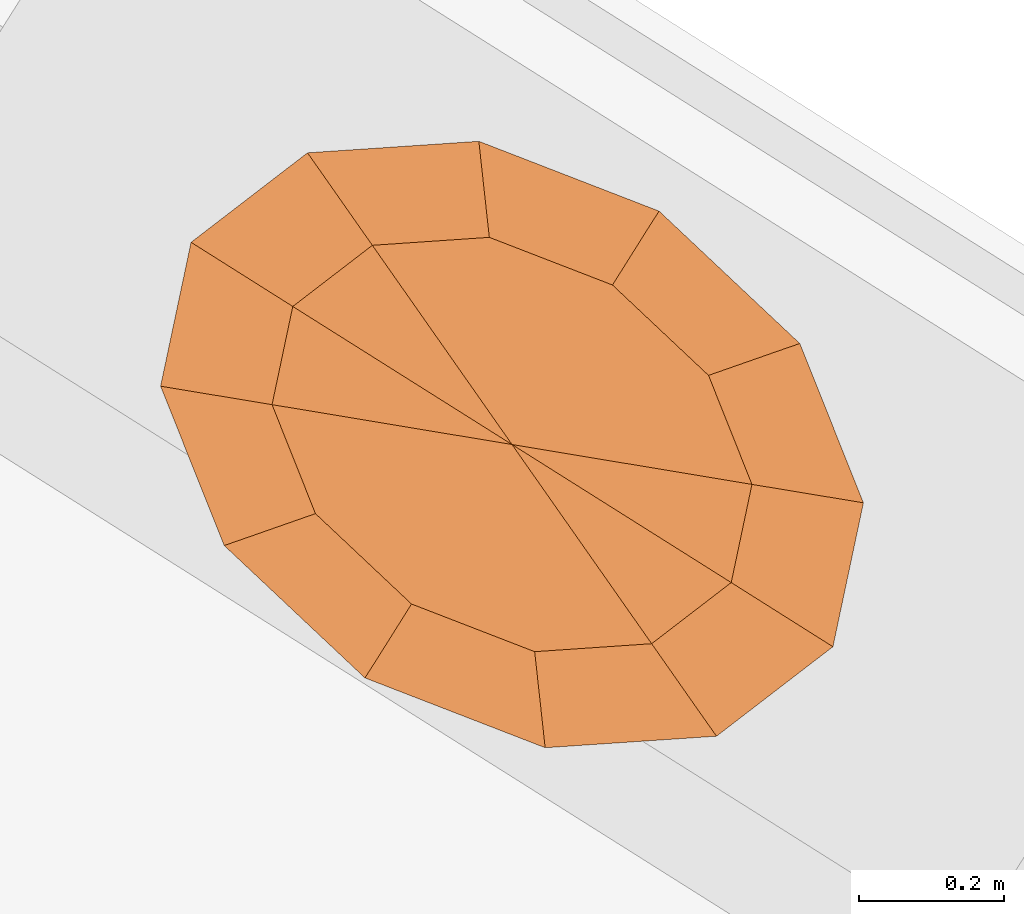
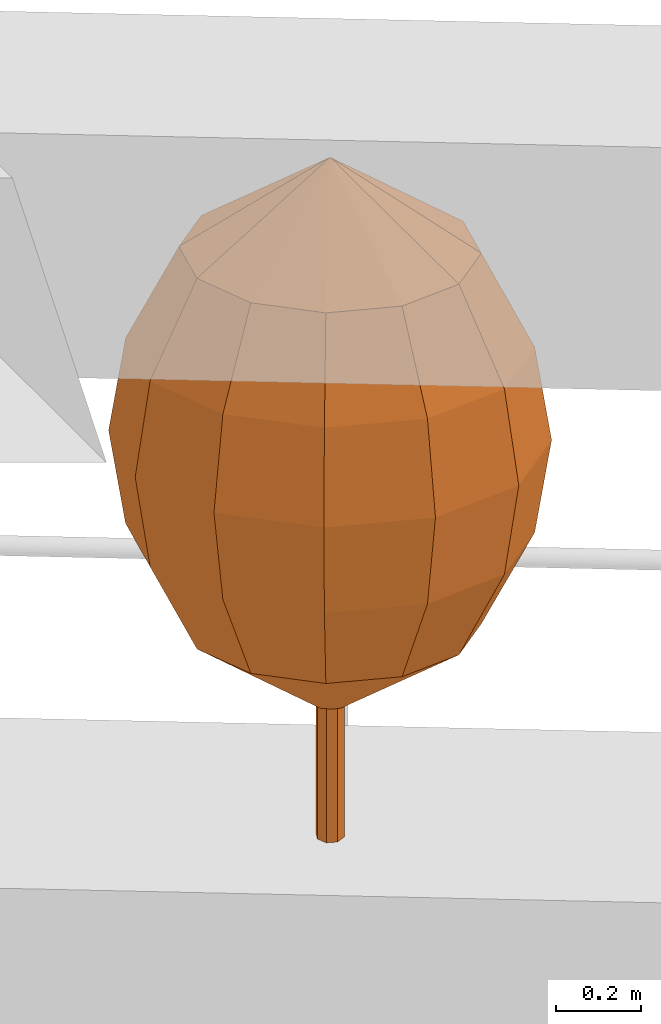
# One storey, part 12 of 12: 1 geographic element.
"""IFC4 building model written with IfcOpenShell, lengths in metres."""

from ifc_helpers import new_model, si_unit, direction, frame, origin, place, context, subcontext, project, spatial, faceted_brep, material, constituent, constituent_set, type_object, element, save


model = new_model("IFC4")

# Units and contexts
model_context = context("Model", 3, precision=1e-05, world=origin(), true_north=direction((0.0, 1.0)))
body_context = subcontext(model_context, "Body", "Model", "MODEL_VIEW")
ifc_project = project(units=[si_unit("LENGTHUNIT", "METRE"), si_unit("AREAUNIT", "SQUARE_METRE"), si_unit("VOLUMEUNIT", "CUBIC_METRE"), si_unit("PLANEANGLEUNIT", "RADIAN"), si_unit("MASSUNIT", "GRAM", prefix="KILO")], contexts=[model_context])

# Site, building, storey
site_placement = place(None, origin())
site = spatial("IfcSite", under=ifc_project, at=site_placement, CompositionType="ELEMENT")
building_placement = place(site_placement, origin())
building = spatial("IfcBuilding", under=site, at=building_placement, Name="Taillehof Tower", CompositionType="ELEMENT")
storey_placement = place(building_placement, frame((0.0, 0.0, 189.199951171875)))
storey = spatial("IfcBuildingStorey", under=building, at=storey_placement, Name="L53", CompositionType="ELEMENT", Elevation=189.199951171875)

# Geographic element
ifc_material_1 = material(Name="Tree bark", Category="timber")
ifc_constituent_1 = constituent(ifc_material_1, Name="Trunk", Category="timber")
ifc_material_2 = material(Name="Tree foliage")
ifc_constituent_2 = constituent(ifc_material_2, Name="Crown")
ifc_constituent_set = constituent_set(constituents=[ifc_constituent_1, ifc_constituent_2], Name="Tree TR2 Fastigiate yew")
geographic_element_type = type_object("IfcGeographicElementType", Name="Tree TR2 Fastigiate yew", PredefinedType="USERDEFINED", material=ifc_constituent_set)
geographic_element_placement = place(storey_placement, frame((15.544921875, 19.98828125, 0.75)))
element("IfcGeographicElement", 1, at=geographic_element_placement, inside=storey, type_object=geographic_element_type, Name="Tree TR2 Fastigiate yew", ObjectType="TREE", PredefinedType="USERDEFINED", context=body_context, shape_type="Brep", body=[
    faceted_brep([(0.034912109375, 0.0, 0.0), (0.024658203125, 0.024658203125, 0.0), (0.024658203125, 0.024658203125, 0.909912109375), (0.034912109375, 0.0, 0.909912109375), (0.0, 0.034912109375, 0.0), (0.0, 0.034912109375, 0.909912109375), (-0.024658203125, 0.024658203125, 0.0), (-0.024658203125, 0.024658203125, 0.909912109375), (-0.034912109375, 0.0, 0.0), (-0.034912109375, 0.0, 0.909912109375), (-0.024658203125, -0.024658203125, 0.0), (-0.024658203125, -0.024658203125, 0.909912109375), (0.0, -0.034912109375, 0.0), (0.0, -0.034912109375, 0.909912109375), (0.024658203125, -0.024658203125, 0.0), (0.024658203125, -0.024658203125, 0.909912109375)], [[[0, 1, 2, 3]], [[1, 4, 5, 2]], [[4, 6, 7, 5]], [[6, 8, 9, 7]], [[8, 10, 11, 9]], [[10, 12, 13, 11]], [[12, 14, 15, 13]], [[14, 0, 3, 15]], [[14, 12, 10, 8, 6, 4, 1, 0]], [[3, 2, 5, 7, 9, 11, 13, 15]]]),
    faceted_brep([(0.0, 0.0, 0.35009765625), (-0.33056640625, 0.054931640625, 0.61669921875), (-0.302001953125, 0.190185546875, 0.61669921875), (-0.270751953125, -0.09521484375, 0.61669921875), (-0.138427734375, -0.2197265625, 0.61669921875), (0.03125, -0.285400390625, 0.61669921875), (0.1923828125, -0.2744140625, 0.61669921875), (0.302001953125, -0.190185546875, 0.61669921875), (0.33056640625, -0.054931640625, 0.61669921875), (0.270751953125, 0.09521484375, 0.61669921875), (0.138427734375, 0.2197265625, 0.61669921875), (-0.03125, 0.285400390625, 0.61669921875), (-0.1923828125, 0.2744140625, 0.61669921875), (-0.447265625, 0.07421875, 0.88330078125), (-0.408447265625, 0.25732421875, 0.88330078125), (-0.3662109375, -0.128662109375, 0.88330078125), (-0.18701171875, -0.297119140625, 0.88330078125), (0.042236328125, -0.385986328125, 0.88330078125), (0.26025390625, -0.371337890625, 0.88330078125), (0.408447265625, -0.25732421875, 0.88330078125), (0.447265625, -0.07421875, 0.88330078125), (0.3662109375, 0.128662109375, 0.88330078125), (0.18701171875, 0.297119140625, 0.88330078125), (-0.042236328125, 0.385986328125, 0.88330078125), (-0.26025390625, 0.371337890625, 0.88330078125), (-0.484130859375, 0.080322265625, 1.14990234375), (-0.442138671875, 0.278564453125, 1.14990234375), (-0.396484375, -0.13916015625, 1.14990234375), (-0.20263671875, -0.321533203125, 1.14990234375), (0.045654296875, -0.417724609375, 1.14990234375), (0.28173828125, -0.40185546875, 1.14990234375), (0.442138671875, -0.278564453125, 1.14990234375), (0.484130859375, -0.080322265625, 1.14990234375), (0.396484375, 0.13916015625, 1.14990234375), (0.20263671875, 0.321533203125, 1.14990234375), (-0.045654296875, 0.417724609375, 1.14990234375), (-0.28173828125, 0.40185546875, 1.14990234375), (-0.447265625, 0.07421875, 1.416748046875), (-0.408447265625, 0.25732421875, 1.416748046875), (-0.3662109375, -0.128662109375, 1.416748046875), (-0.18701171875, -0.297119140625, 1.416748046875), (0.042236328125, -0.385986328125, 1.416748046875), (0.26025390625, -0.371337890625, 1.416748046875), (0.408447265625, -0.25732421875, 1.416748046875), (0.447265625, -0.07421875, 1.416748046875), (0.3662109375, 0.128662109375, 1.416748046875), (0.18701171875, 0.297119140625, 1.416748046875), (-0.042236328125, 0.385986328125, 1.416748046875), (-0.26025390625, 0.371337890625, 1.416748046875), (-0.33056640625, 0.054931640625, 1.683349609375), (-0.302001953125, 0.190185546875, 1.683349609375), (-0.270751953125, -0.09521484375, 1.683349609375), (-0.138427734375, -0.2197265625, 1.683349609375), (0.03125, -0.285400390625, 1.683349609375), (0.1923828125, -0.2744140625, 1.683349609375), (0.302001953125, -0.190185546875, 1.683349609375), (0.33056640625, -0.054931640625, 1.683349609375), (0.270751953125, 0.09521484375, 1.683349609375), (0.138427734375, 0.2197265625, 1.683349609375), (-0.03125, 0.285400390625, 1.683349609375), (-0.1923828125, 0.2744140625, 1.683349609375), (0.0, 0.0, 1.949951171875)], [[[0, 1, 2]], [[0, 3, 1]], [[0, 4, 3]], [[0, 5, 4]], [[0, 6, 5]], [[0, 7, 6]], [[0, 8, 7]], [[0, 9, 8]], [[0, 10, 9]], [[0, 11, 10]], [[0, 12, 11]], [[0, 2, 12]], [[2, 1, 13, 14]], [[1, 3, 15, 13]], [[3, 4, 16, 15]], [[4, 5, 17, 16]], [[5, 6, 18, 17]], [[6, 7, 19, 18]], [[7, 8, 20, 19]], [[8, 9, 21, 20]], [[9, 10, 22, 21]], [[10, 11, 23, 22]], [[11, 12, 24, 23]], [[12, 2, 14, 24]], [[14, 13, 25, 26]], [[13, 15, 27, 25]], [[15, 16, 28, 27]], [[16, 17, 29, 28]], [[17, 18, 30, 29]], [[18, 19, 31, 30]], [[19, 20, 32, 31]], [[20, 21, 33, 32]], [[21, 22, 34, 33]], [[22, 23, 35, 34]], [[23, 24, 36, 35]], [[24, 14, 26, 36]], [[26, 25, 37, 38]], [[25, 27, 39, 37]], [[27, 28, 40, 39]], [[28, 29, 41, 40]], [[29, 30, 42, 41]], [[30, 31, 43, 42]], [[31, 32, 44, 43]], [[32, 33, 45, 44]], [[33, 34, 46, 45]], [[34, 35, 47, 46]], [[35, 36, 48, 47]], [[36, 26, 38, 48]], [[38, 37, 49, 50]], [[37, 39, 51, 49]], [[39, 40, 52, 51]], [[40, 41, 53, 52]], [[41, 42, 54, 53]], [[42, 43, 55, 54]], [[43, 44, 56, 55]], [[44, 45, 57, 56]], [[45, 46, 58, 57]], [[46, 47, 59, 58]], [[47, 48, 60, 59]], [[48, 38, 50, 60]], [[50, 49, 61]], [[49, 51, 61]], [[51, 52, 61]], [[52, 53, 61]], [[53, 54, 61]], [[54, 55, 61]], [[55, 56, 61]], [[56, 57, 61]], [[57, 58, 61]], [[58, 59, 61]], [[59, 60, 61]], [[60, 50, 61]]]),
])

save(model, "model.ifc")
